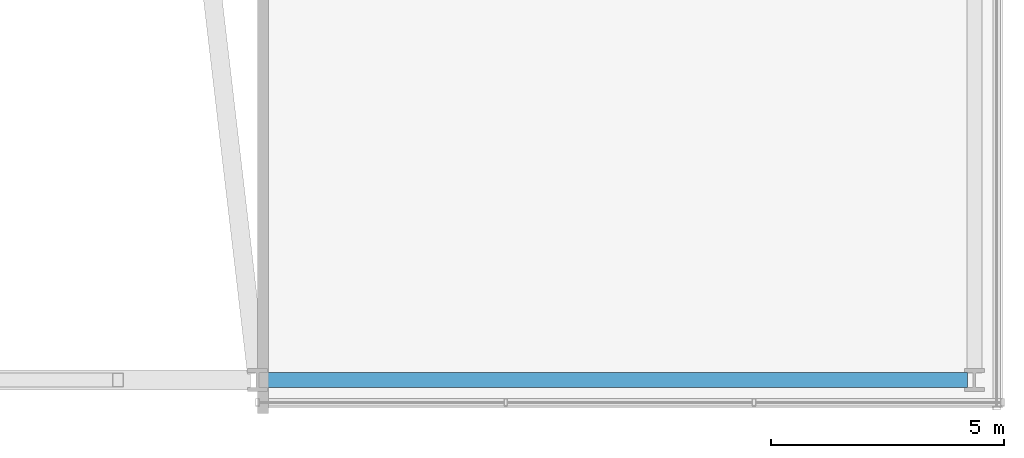
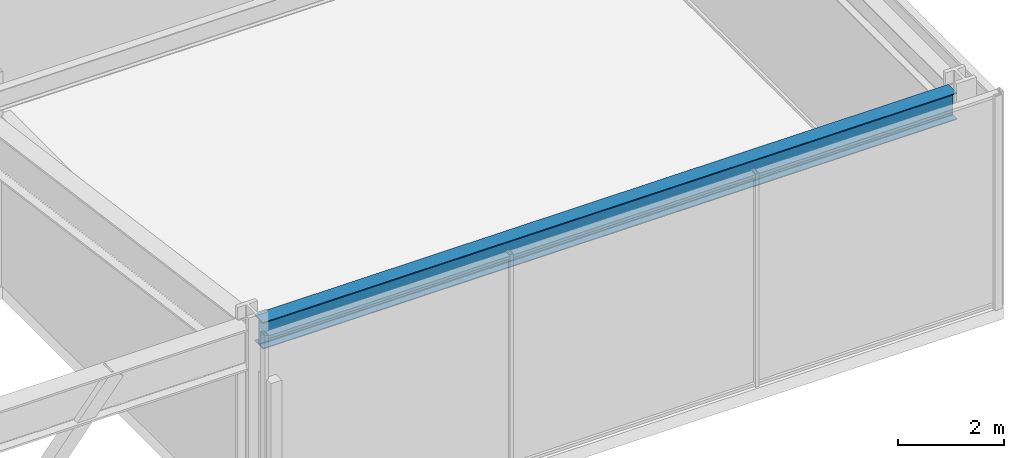
# One storey, part 17 of 49: 1 beam.
"""IFC4 building model written with IfcOpenShell, lengths in metres."""

from ifc_helpers import new_model, si_unit, direction, frame, origin, origin_2d, place, context, subcontext, project, spatial, i_section, extrude, material, material_profile, profile_set, type_object, element, save


model = new_model("IFC4")

# Units and contexts
model_context = context("Model", 3, precision=1e-05, world=origin(), true_north=direction((0.0, 1.0)))
body_context = subcontext(model_context, "Body", "Model", "MODEL_VIEW")
ifc_project = project(units=[si_unit("LENGTHUNIT", "METRE"), si_unit("AREAUNIT", "SQUARE_METRE"), si_unit("VOLUMEUNIT", "CUBIC_METRE"), si_unit("PLANEANGLEUNIT", "RADIAN"), si_unit("MASSUNIT", "GRAM", prefix="KILO")], contexts=[model_context])

# Site, building, storey
site_placement = place(None, origin())
site = spatial("IfcSite", under=ifc_project, at=site_placement, CompositionType="ELEMENT")
building_placement = place(site_placement, origin())
building = spatial("IfcBuilding", under=site, at=building_placement, Name="Kolvaren Belvedere", CompositionType="ELEMENT")
storey_placement = place(building_placement, frame((0.0, 0.0, 10.0)))
storey = spatial("IfcBuildingStorey", under=building, at=storey_placement, Name="L03", CompositionType="ELEMENT", Elevation=10.0)

# Beam
ifc_material = material(Name="Structural steel ASTM A992 Grade 50", Category="steel")
ifc_material_profile = material_profile(ifc_material, i_section(OverallWidth=0.324951171875, OverallDepth=0.615966796875, WebThickness=0.013916015625, FlangeThickness=0.021484375, FilletRadius=0.02001953125, at=origin_2d()), Name="W24X117")
ifc_profile_set = profile_set([ifc_material_profile], Name="Structural steel ASTM A992 Grade 50")
beam_type = type_object("IfcBeamType", Name="BM-SPAN-W24X117", PredefinedType="SPANDREL", material=ifc_profile_set)
beam_placement = place(storey_placement, frame((12.14990234375, -27.800048828125, 4.612060546875), z_axis=(1.0, 0.0, 0.0), x_axis=(0.0, 1.0, 0.0)))
element("IfcBeam", 1, at=beam_placement, inside=storey, type_object=beam_type, Name="L03 South Podium Spandrel 3", PredefinedType="SPANDREL", context=body_context, shape_type="SweptSolid", body=[
    extrude(i_section(OverallWidth=0.324951171875, OverallDepth=0.615966796875, WebThickness=0.013916015625, FlangeThickness=0.021484375, FilletRadius=0.02001953125, at=origin_2d()), origin(), (0.0, 0.0, 1.0), 15.10009765625),
])

save(model, "model.ifc")
